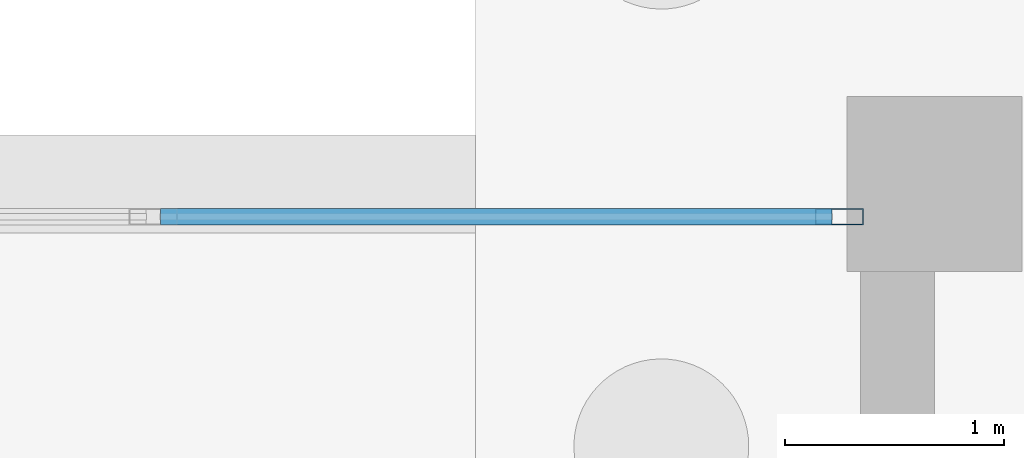
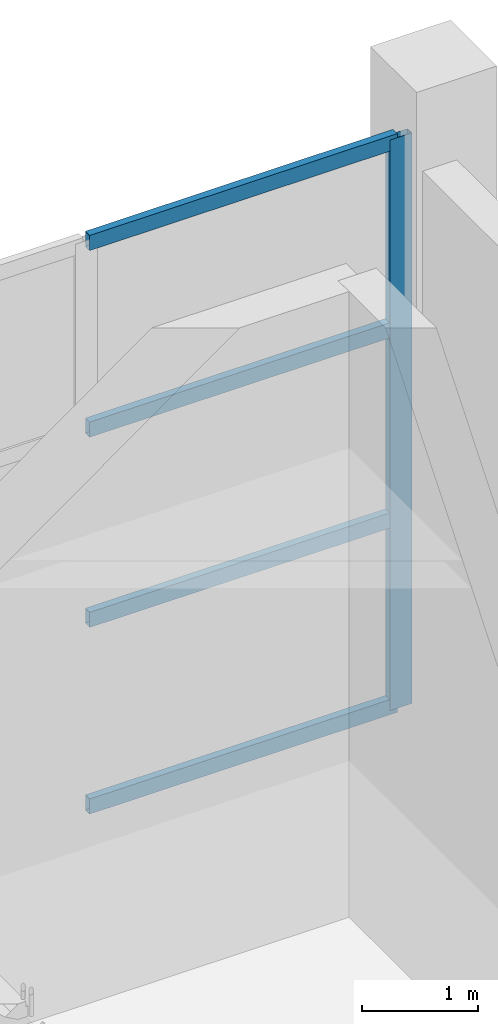
# One storey, part 75 of 115: 5 members, 1 element without a shape of its own.
"""IFC4 building model written with IfcOpenShell, lengths in metres."""

from ifc_helpers import new_model, si_unit, direction, frame, origin, origin_2d, place, context, subcontext, project, spatial, hollow_rectangle, extrude, material, layer, layer_set, material_profile, profile_set, type_object, element, aggregate, save


model = new_model("IFC4")

# Units and contexts
model_context = context("Model", 3, precision=1e-05, world=origin(), true_north=direction((0.0, 1.0)))
body_context = subcontext(model_context, "Body", "Model", "MODEL_VIEW")
ifc_project = project(units=[si_unit("LENGTHUNIT", "METRE"), si_unit("AREAUNIT", "SQUARE_METRE"), si_unit("VOLUMEUNIT", "CUBIC_METRE"), si_unit("PLANEANGLEUNIT", "RADIAN"), si_unit("MASSUNIT", "GRAM", prefix="KILO")], contexts=[model_context])

# Site, building, storey
site_placement = place(None, origin())
site = spatial("IfcSite", under=ifc_project, at=site_placement, CompositionType="ELEMENT")
building_placement = place(site_placement, origin())
building = spatial("IfcBuilding", under=site, at=building_placement, Name="Tamarisk Ironworks Central Station", CompositionType="ELEMENT")
storey_placement = place(building_placement, origin())
storey = spatial("IfcBuildingStorey", under=building, at=storey_placement, Name="L00", CompositionType="ELEMENT", Elevation=0.0)

# Curtain wall, members
ifc_material = material(Name="Anodized aluminium alloy 6063-T6", Category="aluminium")
ifc_layer = layer(ifc_material, 0.179931640625)
ifc_layer_set = layer_set([ifc_layer], Name="Anodized aluminium alloy 6063-T6")
curtain_wall_type = type_object("IfcCurtainWallType", Name="CW-15", PredefinedType="USERDEFINED", material=ifc_layer_set)
curtain_wall_placement = place(storey_placement, origin())
curtain_wall = element("IfcCurtainWall", 1, at=curtain_wall_placement, inside=storey, type_object=curtain_wall_type, Name="Operations L00 north facade curtain wall 166", ObjectType="GLAZED CURTAIN WALL", PredefinedType="USERDEFINED")
ifc_material_profile_1 = material_profile(ifc_material, hollow_rectangle(XDim=0.074951171875, YDim=0.219970703125, WallThickness=0.00390625, at=origin_2d()), Name="ALUM 220x75")
ifc_profile_set_1 = profile_set([ifc_material_profile_1], Name="Anodized aluminium alloy 6063-T6")
member_type_1 = type_object("IfcMemberType", Name="CWM-01", PredefinedType="MULLION", material=ifc_profile_set_1)
member_1_placement = place(storey_placement, frame((179.564453125, 122.25, 0.0), z_axis=(0.0, 0.0, 1.0), x_axis=(0.0, 1.0, 0.0)))
member_1 = element("IfcMember", 2, at=member_1_placement, type_object=member_type_1, Name="CW15 mullion 5", PredefinedType="MULLION", context=body_context, shape_type="SweptSolid", body=[
    extrude(hollow_rectangle(XDim=0.074951171875, YDim=0.219970703125, WallThickness=0.00390625, at=origin_2d()), origin(), (0.0, 0.0, 1.0), 6.02001953125),
])
ifc_material_profile_2 = material_profile(ifc_material, hollow_rectangle(XDim=0.074951171875, YDim=0.159912109375, WallThickness=0.00390625, at=origin_2d()), Name="ALUM 160x75")
ifc_profile_set_2 = profile_set([ifc_material_profile_2], Name="Anodized aluminium alloy 6063-T6")
member_type_2 = type_object("IfcMemberType", Name="CWT-01", PredefinedType="USERDEFINED", material=ifc_profile_set_2)
member_2_placement = place(storey_placement, frame((176.45947265625, 122.25, 0.03759765625), z_axis=(1.0, 0.0, 0.0), x_axis=(0.0, 1.0, 0.0)))
member_2 = element("IfcMember", 3, at=member_2_placement, type_object=member_type_2, Name="CW15 transom 4.1", ObjectType="TRANSOM", PredefinedType="USERDEFINED", context=body_context, shape_type="SweptSolid", body=[
    extrude(hollow_rectangle(XDim=0.074951171875, YDim=0.159912109375, WallThickness=0.00390625, at=origin_2d()), origin(), (0.0, 0.0, 1.0), 3.071533203125),
])
member_3_placement = place(storey_placement, frame((176.45947265625, 122.25, 2.006591796875), z_axis=(1.0, 0.0, 0.0), x_axis=(0.0, 1.0, 0.0)))
member_3 = element("IfcMember", 4, at=member_3_placement, type_object=member_type_2, Name="CW15 transom 4.2", ObjectType="TRANSOM", PredefinedType="USERDEFINED", context=body_context, shape_type="SweptSolid", body=[
    extrude(hollow_rectangle(XDim=0.074951171875, YDim=0.159912109375, WallThickness=0.00390625, at=origin_2d()), origin(), (0.0, 0.0, 1.0), 3.071533203125),
])
member_4_placement = place(storey_placement, frame((176.45947265625, 122.25, 4.01318359375), z_axis=(1.0, 0.0, 0.0), x_axis=(0.0, 1.0, 0.0)))
member_4 = element("IfcMember", 5, at=member_4_placement, type_object=member_type_2, Name="CW15 transom 4.3", ObjectType="TRANSOM", PredefinedType="USERDEFINED", context=body_context, shape_type="SweptSolid", body=[
    extrude(hollow_rectangle(XDim=0.074951171875, YDim=0.159912109375, WallThickness=0.00390625, at=origin_2d()), origin(), (0.0, 0.0, 1.0), 3.071533203125),
])
member_5_placement = place(storey_placement, frame((176.45947265625, 122.25, 5.982421875), z_axis=(1.0, 0.0, 0.0), x_axis=(0.0, 1.0, 0.0)))
member_5 = element("IfcMember", 6, at=member_5_placement, type_object=member_type_2, Name="CW15 transom 4.4", ObjectType="TRANSOM", PredefinedType="USERDEFINED", context=body_context, shape_type="SweptSolid", body=[
    extrude(hollow_rectangle(XDim=0.074951171875, YDim=0.159912109375, WallThickness=0.00390625, at=origin_2d()), origin(), (0.0, 0.0, 1.0), 3.071533203125),
])
aggregate(curtain_wall, [member_1, member_2, member_3, member_4, member_5])

save(model, "model.ifc")
